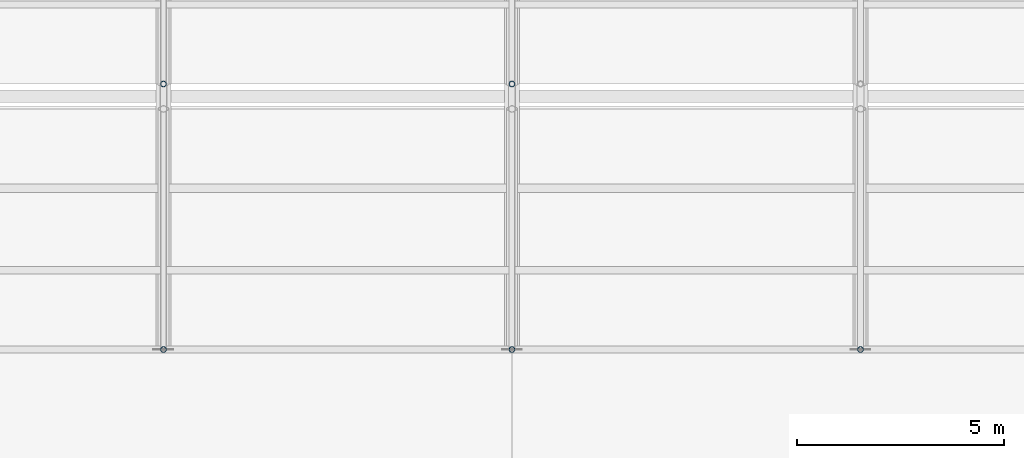
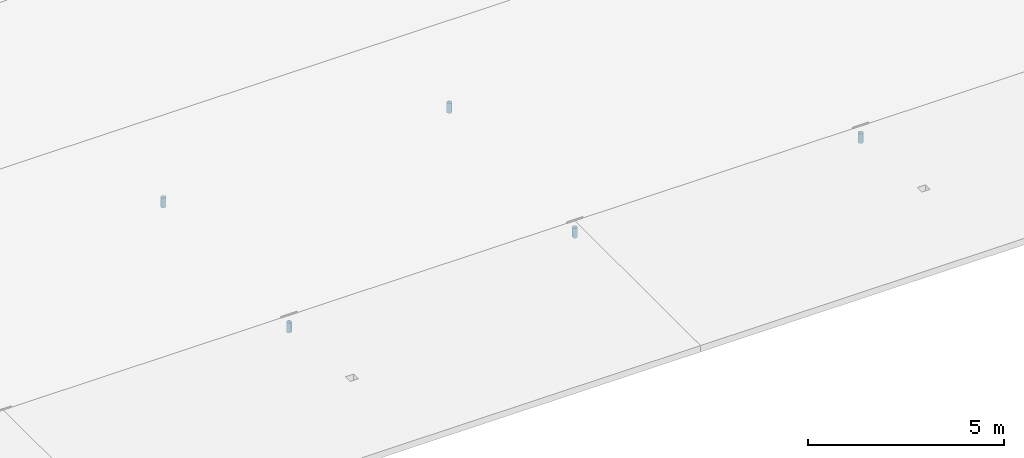
# One storey, part 120 of 194: 5 members.
"""IFC4 building model written with IfcOpenShell, lengths in metres."""

from ifc_helpers import new_model, si_unit, direction, frame, origin, origin_2d, place, context, subcontext, project, spatial, hollow_circle, extrude, material, material_profile, profile_set, type_object, element, save


model = new_model("IFC4")

# Units and contexts
model_context = context("Model", 3, precision=1e-05, world=origin(), true_north=direction((0.0, 1.0)))
body_context = subcontext(model_context, "Body", "Model", "MODEL_VIEW")
ifc_project = project(units=[si_unit("LENGTHUNIT", "METRE"), si_unit("AREAUNIT", "SQUARE_METRE"), si_unit("VOLUMEUNIT", "CUBIC_METRE"), si_unit("PLANEANGLEUNIT", "RADIAN"), si_unit("MASSUNIT", "GRAM", prefix="KILO")], contexts=[model_context])

# Site, building, storey
site_placement = place(None, origin())
site = spatial("IfcSite", under=ifc_project, at=site_placement, CompositionType="ELEMENT")
building_placement = place(site_placement, origin())
building = spatial("IfcBuilding", under=site, at=building_placement, Name="Kazenagashi Tramway Depot", CompositionType="ELEMENT")
storey_placement = place(building_placement, frame((0.0, 0.0, 23.7)))
storey = spatial("IfcBuildingStorey", under=building, at=storey_placement, Name="ROOF", CompositionType="ELEMENT", Elevation=23.7)

# Members
ifc_material = material(Name="Steel STK490", Category="steel")
ifc_material_profile = material_profile(ifc_material, hollow_circle(Radius=0.0699, WallThickness=0.0066, at=origin_2d()), Name="CHS-139.8x6.6")
ifc_profile_set = profile_set([ifc_material_profile], Name="Steel STK490")
member_type = type_object("IfcMemberType", Name="TS-02", PredefinedType="STRUT", material=ifc_profile_set)
for number, where, z_axis, x_axis, name in (
    (1, (70.0, 22.9, -8.9), (0.0, 0.0, 1.0), (1.0, 0.0, 0.0), "Roof Truss TS-02 MEM-1238"),
    (2, (70.0, 29.3, -8.9), (0.0, 0.0, 1.0), (1.0, 0.0, 0.0), "Roof Truss TS-02 MEM-1243"),
    (3, (78.4, 22.9, -8.9), (0.0, 0.0, 1.0), (1.0, 0.0, 0.0), "Roof Truss TS-02 MEM-1267"),
    (4, (78.4, 29.3, -8.9), (0.0, 0.0, 1.0), (1.0, 0.0, 0.0), "Roof Truss TS-02 MEM-1272"),
    (5, (86.8, 22.9, -8.9), (0.0, 0.0, 1.0), (1.0, 0.0, 0.0), "Roof Truss TS-02 MEM-1296"),
):
    element("IfcMember", number, at=place(storey_placement, frame(where, z_axis=z_axis, x_axis=x_axis)), inside=storey, type_object=member_type, Name=name, PredefinedType="STRUT", context=body_context, shape_type="SweptSolid", body=[
        extrude(hollow_circle(Radius=0.0699, WallThickness=0.0066, at=origin_2d()), origin(), (0.0, 0.0, 1.0), 0.3),
    ])

save(model, "model.ifc")
